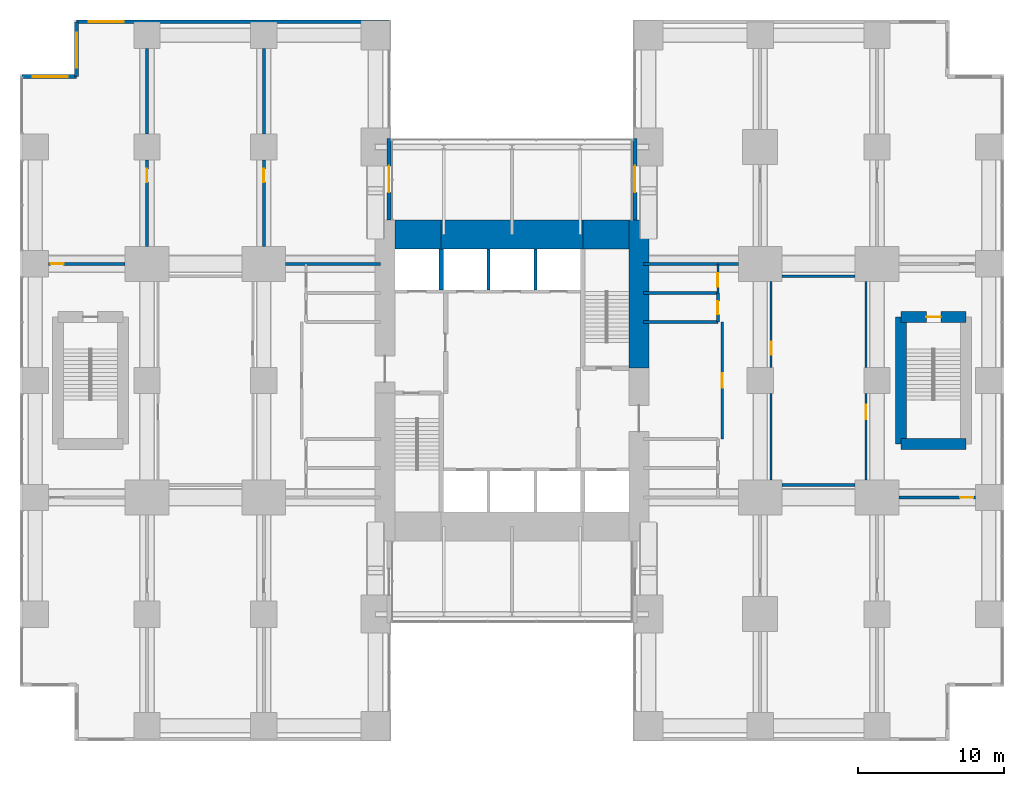
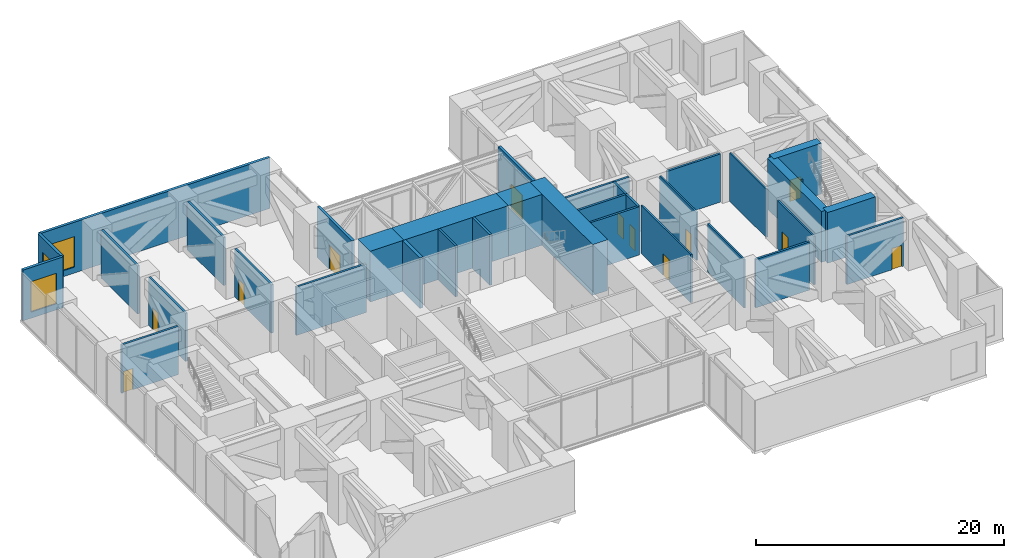
# One storey, part 17 of 19: 34 walls, 12 doors, 3 windows, 15 openings.
"""IFC4 building model written with IfcOpenShell, lengths in metres."""

import ifcopenshell
import ifcopenshell.guid

model = None  # the IFC model being written
_history = None  # IfcOwnerHistory: only IFC2X3 demands one
_inside = {}  # id of a spatial element -> (the spatial element, [elements in it])
_under = {}  # id of a project, library or spatial element -> (it, [spatial elements below it])
_declared = {}  # id of a project -> (the project, [libraries it declares])
_typed = {}  # id of a type object -> (the type object, [elements of that type])
_made_of = {}  # id of a material, layer set ... -> (it, [elements and type objects made of it])


def new_model(schema):
    """Start an empty IFC model of exactly this schema.

    Asked for "IFC4X3", IfcOpenShell would pick the latest addendum, in which some entities
    have other attributes; the version numbers below select the first issue.
    IFC2X3 requires an IfcOwnerHistory on every rooted entity: one is made here for all.
    """
    global model, _history
    if schema == "IFC4X3":
        model = ifcopenshell.file(schema_version=(4, 3, 0, 0))
    else:
        model = ifcopenshell.file(schema=schema)
    _inside.clear()
    _under.clear()
    _declared.clear()
    _typed.clear()
    _made_of.clear()
    _history = None
    if model.schema == "IFC2X3":
        org = make("IfcOrganization", Name="unknown")
        user = make(
            "IfcPersonAndOrganization",
            ThePerson=make("IfcPerson", FamilyName="unknown"),
            TheOrganization=org,
        )
        app = make(
            "IfcApplication",
            ApplicationDeveloper=org,
            Version="unknown",
            ApplicationFullName="unknown",
            ApplicationIdentifier="unknown",
        )
        _history = make(
            "IfcOwnerHistory",
            OwningUser=user,
            OwningApplication=app,
            ChangeAction="ADDED",
            CreationDate=0,
        )
    return model


def make(cls, **values):
    """One entity of the class cls with the attributes given. An attribute that is None is left unset."""
    return model.create_entity(
        cls, **{name: value for name, value in values.items() if value is not None}
    )


def rooted(cls, **values):
    """An entity with a GlobalId (a new one), such as an element, a storey or a relation."""
    return make(cls, GlobalId=ifcopenshell.guid.new(), OwnerHistory=_history, **values)


def si_unit(unit_type, name, prefix=None):
    """IfcSIUnit, for example si_unit("LENGTHUNIT", "METRE", prefix="MILLI")."""
    return make("IfcSIUnit", UnitType=unit_type, Prefix=prefix, Name=name)


def assignment(units):
    """IfcUnitAssignment: the units of a project."""
    return None if units is None else make("IfcUnitAssignment", Units=units)


def point(xyz):
    """IfcCartesianPoint."""
    return None if xyz is None else make("IfcCartesianPoint", Coordinates=xyz)


def direction(xyz):
    """IfcDirection."""
    return None if xyz is None else make("IfcDirection", DirectionRatios=xyz)


def frame(location, z_axis=None, x_axis=None):
    """IfcAxis2Placement3D, a coordinate frame: its origin and axes. An axis left out is left unset."""
    return make(
        "IfcAxis2Placement3D",
        Location=point(location),
        Axis=direction(z_axis),
        RefDirection=direction(x_axis),
    )


def frame_2d(location, x_axis=None):
    """IfcAxis2Placement2D, a coordinate frame in the plane: its origin and x axis."""
    return make(
        "IfcAxis2Placement2D", Location=point(location), RefDirection=direction(x_axis)
    )


def origin():
    """The frame at (0, 0, 0) with its axes left unset."""
    return frame((0.0, 0.0, 0.0))


def place(relative_to, where):
    """IfcLocalPlacement: puts the frame where relative to a parent placement (None: the world)."""
    return make(
        "IfcLocalPlacement", PlacementRelTo=relative_to, RelativePlacement=where
    )


def context(
    kind, dimensions, precision=None, world=None, true_north=None, identifier=None
):
    """IfcGeometricRepresentationContext, for example the 3D "Model" context."""
    return make(
        "IfcGeometricRepresentationContext",
        ContextIdentifier=identifier,
        ContextType=kind,
        CoordinateSpaceDimension=dimensions,
        Precision=precision,
        WorldCoordinateSystem=world,
        TrueNorth=true_north,
    )


def subcontext(parent, identifier, kind, view, scale=None):
    """IfcGeometricRepresentationSubContext, for example "Body" below "Model"."""
    return make(
        "IfcGeometricRepresentationSubContext",
        ContextIdentifier=identifier,
        ContextType=kind,
        ParentContext=parent,
        TargetScale=scale,
        TargetView=view,
    )


def project(units=None, contexts=None):
    """IfcProject with its units and contexts."""
    return rooted(
        "IfcProject",
        Name="project",
        RepresentationContexts=contexts,
        UnitsInContext=assignment(units),
    )


def spatial(cls, under=None, at=None, **own):
    """A site, building, storey or space (cls), placed at a placement, below another one or the project."""
    s = rooted(cls, ObjectPlacement=at, **own)
    if under is not None:
        _under.setdefault(under.id(), (under, []))[1].append(s)
    return s


def profile(cls, at=None, kind="AREA", **sizes):
    """A parametric profile (cls). Its sizes go by their IFC names, for example OverallWidth=200.0."""
    return make(cls, ProfileType=kind, Position=at, **sizes)


def rectangle(**sizes):
    """IfcRectangleProfileDef."""
    return profile("IfcRectangleProfileDef", **sizes)


def extrude(swept, where, along, depth):
    """IfcExtrudedAreaSolid: the profile swept, set in the frame where, extruded along a direction by depth."""
    return make(
        "IfcExtrudedAreaSolid",
        SweptArea=swept,
        Position=where,
        ExtrudedDirection=direction(along),
        Depth=depth,
    )


def shape(context_of_items, identifier, shape_type, items):
    """IfcShapeRepresentation: the items that make up one representation, for example the "Body"."""
    return make(
        "IfcShapeRepresentation",
        ContextOfItems=context_of_items,
        RepresentationIdentifier=identifier,
        RepresentationType=shape_type,
        Items=items,
    )


def material(Name=None, Category=None):
    """IfcMaterial."""
    return make("IfcMaterial", Name=Name, Category=Category)


def layer(
    of_material, thickness, ventilated=None, Name=None, Category=None, Priority=None
):
    """IfcMaterialLayer: one layer of a wall or slab, of a material (None: an air gap)."""
    return make(
        "IfcMaterialLayer",
        Material=of_material,
        LayerThickness=thickness,
        IsVentilated=ventilated,
        Name=Name,
        Category=Category,
        Priority=Priority,
    )


def layer_set(layers, Name=None):
    """IfcMaterialLayerSet."""
    return make("IfcMaterialLayerSet", MaterialLayers=layers, LayerSetName=Name)


def made_of(thing, what):
    """Note that an element or type object is made of a material, layer set ...; save() writes the relation."""
    if what is not None:
        _made_of.setdefault(what.id(), (what, []))[1].append(thing)
    return thing


def type_object(cls, material=None, **own):
    """A type object (cls), such as IfcWallType, which elements share."""
    return made_of(rooted(cls, **own), material)


def element(
    cls,
    number,
    at=None,
    inside=None,
    cuts=None,
    type_object=None,
    material=None,
    context=None,
    identifier="Body",
    shape_type=None,
    held_by="IfcProductDefinitionShape",
    body=None,
    shapes=None,
    **own,
):
    """One element of the class cls, such as IfcWall. Its Tag is "e" and its number.

    at: its placement. inside: the storey or other place that contains it. cuts: it is an
    opening in that element (IfcRelVoidsElement). A single representation is given by context,
    identifier, shape_type and body (its items); several are given by shapes. held_by: the class
    of the entity that holds the representations. save() writes the other relations.
    """
    e = rooted(cls, Tag="e%d" % number, ObjectPlacement=at, **own)
    if body is not None:
        shapes = [shape(context, identifier, shape_type, body)]
    if shapes is not None:
        e.Representation = make(held_by, Representations=shapes)
    if inside is not None:
        _inside.setdefault(inside.id(), (inside, []))[1].append(e)
    if cuts is not None:
        rooted(
            "IfcRelVoidsElement", RelatingBuildingElement=cuts, RelatedOpeningElement=e
        )
    if type_object is not None:
        _typed.setdefault(type_object.id(), (type_object, []))[1].append(e)
    return made_of(e, material)


def fill(opening, filler):
    """IfcRelFillsElement: the door or window that sits in an opening."""
    return rooted(
        "IfcRelFillsElement",
        RelatingOpeningElement=opening,
        RelatedBuildingElement=filler,
    )


def aggregate(whole, parts):
    """IfcRelAggregates: a whole, such as a stair, and the parts it consists of."""
    return rooted("IfcRelAggregates", RelatingObject=whole, RelatedObjects=parts)


def save(model, path):
    """Write the relations noted so far, then the file.

    IfcRelAggregates (storeys below a building ...), IfcRelContainedInSpatialStructure (elements
    in a storey), IfcRelDefinesByType, IfcRelAssociatesMaterial and IfcRelDeclares: one each for
    every whole, place, type object, material and project.
    """
    for whole, parts in _under.values():
        aggregate(whole, parts)
    for where, things in _inside.values():
        rooted(
            "IfcRelContainedInSpatialStructure",
            RelatedElements=things,
            RelatingStructure=where,
        )
    for kind, things in _typed.values():
        rooted("IfcRelDefinesByType", RelatedObjects=things, RelatingType=kind)
    for what, things in _made_of.values():
        rooted("IfcRelAssociatesMaterial", RelatedObjects=things, RelatingMaterial=what)
    for by, libraries in _declared.values():
        rooted("IfcRelDeclares", RelatingContext=by, RelatedDefinitions=libraries)
    model.write(path)


model = new_model("IFC4")

# Units and contexts
model_context = context("Model", 3, precision=1e-05, world=origin(), true_north=direction((0.0, 1.0)))
body_context = subcontext(model_context, "Body", "Model", "MODEL_VIEW")
ifc_project = project(units=[si_unit("LENGTHUNIT", "METRE"), si_unit("AREAUNIT", "SQUARE_METRE"), si_unit("VOLUMEUNIT", "CUBIC_METRE"), si_unit("PLANEANGLEUNIT", "RADIAN"), si_unit("MASSUNIT", "GRAM", prefix="KILO")], contexts=[model_context])

# Site, building, storey
site_placement = place(None, origin())
site = spatial("IfcSite", under=ifc_project, at=site_placement, CompositionType="ELEMENT")
building_placement = place(site_placement, origin())
building = spatial("IfcBuilding", under=site, at=building_placement, Name="Cleftline Residences", CompositionType="ELEMENT")
storey_placement = place(building_placement, frame((0.0, 0.0, 177.199951171875)))
storey = spatial("IfcBuildingStorey", under=building, at=storey_placement, Name="L46", CompositionType="ELEMENT", Elevation=177.199951171875)

# Walls
ifc_material_1 = material(Name="Concrete B70", Category="concrete")
ifc_layer_1 = layer(ifc_material_1, 1.39990234375)
ifc_layer_set_1 = layer_set([ifc_layer_1], Name="CORE WALL 1400")
wall_type_1 = type_object("IfcWallType", Name="CORE WALL 1400", PredefinedType="SHEAR", material=ifc_layer_set_1)
wall_1_placement = place(storey_placement, frame((41.699951171875, 24.85009765625, 0.0), z_axis=(0.0, 0.0, 1.0), x_axis=(0.0, 1.0, 0.0)))
element("IfcWall", 1, at=wall_1_placement, inside=storey, type_object=wall_type_1, Name="Core wall E1", PredefinedType="SHEAR", context=body_context, shape_type="SweptSolid", body=[
    extrude(rectangle(XDim=10.14990234375, YDim=1.39990234375, at=frame_2d((5.074951171875, 0.0))), origin(), (0.0, 0.0, 1.0), 5.0),
])
ifc_material_2 = material(Name="Concrete B70", Category="concrete")
ifc_layer_2 = layer(ifc_material_2, 2.0)
ifc_layer_set_2 = layer_set([ifc_layer_2], Name="CORE WALL 2000")
wall_type_2 = type_object("IfcWallType", Name="CORE WALL 2000", PredefinedType="SHEAR", material=ifc_layer_set_2)
wall_2_placement = place(storey_placement, frame((25.0, 34.0, 0.0), z_axis=(0.0, 0.0, 1.0), x_axis=(1.0, 0.0, 0.0)))
element("IfcWall", 2, at=wall_2_placement, inside=storey, type_object=wall_type_2, Name="Core wall N1", PredefinedType="SHEAR", context=body_context, shape_type="SweptSolid", body=[
    extrude(rectangle(XDim=3.14990234375, YDim=2.0, at=frame_2d((1.574951171875, 0.0))), origin(), (0.0, 0.0, 1.0), 5.0),
])
wall_3_placement = place(storey_placement, frame((28.14990234375, 34.0, 0.0), z_axis=(0.0, 0.0, 1.0), x_axis=(1.0, 0.0, 0.0)))
element("IfcWall", 3, at=wall_3_placement, inside=storey, type_object=wall_type_2, Name="Core wall N2", PredefinedType="SHEAR", context=body_context, shape_type="SweptSolid", body=[
    extrude(rectangle(XDim=9.7001953125, YDim=2.0, at=frame_2d((4.85009765625, 0.0))), origin(), (0.0, 0.0, 1.0), 5.0),
])
wall_4_placement = place(storey_placement, frame((37.85009765625, 34.0, 0.0), z_axis=(0.0, 0.0, 1.0), x_axis=(1.0, 0.0, 0.0)))
element("IfcWall", 4, at=wall_4_placement, inside=storey, type_object=wall_type_2, Name="Core wall N3", PredefinedType="SHEAR", context=body_context, shape_type="SweptSolid", body=[
    extrude(rectangle(XDim=3.14990234375, YDim=2.0, at=frame_2d((1.574951171875, 0.0))), origin(), (0.0, 0.0, 1.0), 5.0),
])
ifc_material_3 = material(Name="Concrete B70", Category="concrete")
ifc_layer_3 = layer(ifc_material_3, 0.300048828125)
ifc_layer_set_3 = layer_set([ifc_layer_3], Name="CORE WALL 300")
wall_type_3 = type_object("IfcWallType", Name="CORE WALL 300", PredefinedType="SHEAR", material=ifc_layer_set_3)
wall_5_placement = place(storey_placement, frame((28.14990234375, 30.199951171875, 0.0), z_axis=(0.0, 0.0, 1.0), x_axis=(0.0, 1.0, 0.0)))
element("IfcWall", 5, at=wall_5_placement, inside=storey, type_object=wall_type_3, Name="Lift shaft wall", PredefinedType="SHEAR", context=body_context, shape_type="SweptSolid", body=[
    extrude(rectangle(XDim=2.800048828125, YDim=0.300048828125, at=frame_2d((1.39990234375, 0.0))), origin(), (0.0, 0.0, 1.0), 5.0),
])

# Wall, opening, door
ifc_material_4 = material(Name="Rendered reinforced concrete blockwork", Category="masonry")
ifc_layer_4 = layer(ifc_material_4, 0.25)
ifc_layer_set_4 = layer_set([ifc_layer_4], Name="EXTERNAL WALL 250")
wall_type_4 = type_object("IfcWallType", Name="EXTERNAL WALL 250", PredefinedType="SOLIDWALL", material=ifc_layer_set_4)
wall_6_placement = place(storey_placement, frame((41.425048828125, 40.60009765625, 0.0), z_axis=(0.0, 0.0, 1.0), x_axis=(0.0, -1.0, 0.0)))
wall_6 = element("IfcWall", 6, at=wall_6_placement, inside=storey, type_object=wall_type_4, Name="External wall", PredefinedType="SOLIDWALL", context=body_context, shape_type="SweptSolid", body=[
    extrude(rectangle(XDim=5.60009765625, YDim=0.25, at=frame_2d((2.800048828125, 0.0))), origin(), (0.0, 0.0, 1.0), 5.0),
])
opening_1_placement = place(wall_6_placement, frame((1.89990234375, 0.0, 0.0)))
opening_1 = element("IfcOpeningElement", 7, at=opening_1_placement, cuts=wall_6, Name="Opening DB1", PredefinedType="OPENING", context=body_context, shape_type="SweptSolid", body=[
    extrude(rectangle(XDim=1.800048828125, YDim=2.39990234375, at=frame_2d((0.89990234375, 1.199951171875))), frame((0.0, 0.135009765625, 0.0), z_axis=(0.0, -1.0, 0.0), x_axis=(1.0, 0.0, 0.0)), (0.0, 0.0, 1.0), 0.27001953125),
])
ifc_material_5 = material(Name="Steel and glass, fire rated", Category="steel")
door_type_1 = type_object("IfcDoorType", Name="BRIDGE DOOR 1800X2400", OperationType="DOUBLE_DOOR_DOUBLE_SWING", PredefinedType="DOOR", material=ifc_material_5)
door_1_placement = place(opening_1_placement, origin())
door_1 = element("IfcDoor", 8, at=door_1_placement, inside=storey, type_object=door_type_1, Name="Sky bridge door", OperationType="DOUBLE_DOOR_DOUBLE_SWING", OverallHeight=2.39990234375, OverallWidth=1.800048828125, PredefinedType="DOOR", context=body_context, shape_type="SweptSolid", body=[
    extrude(rectangle(XDim=1.800048828125, YDim=2.39990234375, at=frame_2d((0.89990234375, 1.199951171875))), frame((0.0, 0.02490234375, 0.0), z_axis=(0.0, -1.0, 0.0), x_axis=(1.0, 0.0, 0.0)), (0.0, 0.0, 1.0), 0.050048828125),
])
fill(opening_1, door_1)

wall_7_placement = place(storey_placement, frame((24.574951171875, 35.0, 0.0), z_axis=(0.0, 0.0, 1.0), x_axis=(0.0, 1.0, 0.0)))
wall_7 = element("IfcWall", 9, at=wall_7_placement, inside=storey, type_object=wall_type_4, Name="External wall", PredefinedType="SOLIDWALL", context=body_context, shape_type="SweptSolid", body=[
    extrude(rectangle(XDim=5.60009765625, YDim=0.25, at=frame_2d((2.800048828125, 0.0))), origin(), (0.0, 0.0, 1.0), 5.0),
])
opening_2_placement = place(wall_7_placement, frame((1.89990234375, 0.0, 0.0)))
opening_2 = element("IfcOpeningElement", 10, at=opening_2_placement, cuts=wall_7, Name="Opening DB1", PredefinedType="OPENING", context=body_context, shape_type="SweptSolid", body=[
    extrude(rectangle(XDim=1.800048828125, YDim=2.39990234375, at=frame_2d((0.89990234375, 1.199951171875))), frame((0.0, 0.135009765625, 0.0), z_axis=(0.0, -1.0, 0.0), x_axis=(1.0, 0.0, 0.0)), (0.0, 0.0, 1.0), 0.27001953125),
])
door_2_placement = place(opening_2_placement, origin())
door_2 = element("IfcDoor", 11, at=door_2_placement, inside=storey, type_object=door_type_1, Name="Sky bridge door", OperationType="DOUBLE_DOOR_DOUBLE_SWING", OverallHeight=2.39990234375, OverallWidth=1.800048828125, PredefinedType="DOOR", context=body_context, shape_type="SweptSolid", body=[
    extrude(rectangle(XDim=1.800048828125, YDim=2.39990234375, at=frame_2d((0.89990234375, 1.199951171875))), frame((0.0, 0.02490234375, 0.0), z_axis=(0.0, -1.0, 0.0), x_axis=(1.0, 0.0, 0.0)), (0.0, 0.0, 1.0), 0.050048828125),
])
fill(opening_2, door_2)

# Wall, opening, window
wall_8_placement = place(storey_placement, frame((24.574951171875, 48.574951171875, 0.0), z_axis=(0.0, 0.0, 1.0), x_axis=(-1.0, 0.0, 0.0)))
wall_8 = element("IfcWall", 12, at=wall_8_placement, inside=storey, type_object=wall_type_4, Name="External wall", PredefinedType="SOLIDWALL", context=body_context, shape_type="SweptSolid", body=[
    extrude(rectangle(XDim=21.39990234375, YDim=0.25, at=frame_2d((10.699951171875, 0.0))), origin(), (0.0, 0.0, 1.0), 5.0),
])
opening_3_placement = place(wall_8_placement, frame((18.175048828125, 0.0, 0.60009765625)))
opening_3 = element("IfcOpeningElement", 13, at=opening_3_placement, cuts=wall_8, Name="Opening W3", PredefinedType="OPENING", context=body_context, shape_type="SweptSolid", body=[
    extrude(rectangle(XDim=2.39990234375, YDim=3.0, at=frame_2d((1.199951171875, 1.5))), frame((0.0, 0.135009765625, 0.0), z_axis=(0.0, -1.0, 0.0), x_axis=(1.0, 0.0, 0.0)), (0.0, 0.0, 1.0), 0.27001953125),
])
ifc_material_6 = material(Name="Aluminium frame, clear double glazing", Category="aluminium")
window_type = type_object("IfcWindowType", Name="WINDOW 2400X3000", PartitioningType="DOUBLE_PANEL_VERTICAL", PredefinedType="WINDOW", material=ifc_material_6)
window_1_placement = place(opening_3_placement, origin())
window_1 = element("IfcWindow", 14, at=window_1_placement, inside=storey, type_object=window_type, Name="Window", OverallHeight=3.0, OverallWidth=2.39990234375, PartitioningType="SINGLE_PANEL", PredefinedType="WINDOW", context=body_context, shape_type="SweptSolid", body=[
    extrude(rectangle(XDim=2.39990234375, YDim=3.0, at=frame_2d((1.199951171875, 1.5))), frame((0.0, 0.030029296875, 0.0), z_axis=(0.0, -1.0, 0.0), x_axis=(1.0, 0.0, 0.0)), (0.0, 0.0, 1.0), 0.06005859375),
])
fill(opening_3, window_1)

wall_9_placement = place(storey_placement, frame((3.175048828125, 48.574951171875, 0.0), z_axis=(0.0, 0.0, 1.0), x_axis=(0.0, -1.0, 0.0)))
wall_9 = element("IfcWall", 15, at=wall_9_placement, inside=storey, type_object=wall_type_4, Name="External wall", PredefinedType="SOLIDWALL", context=body_context, shape_type="SweptSolid", body=[
    extrude(rectangle(XDim=3.75, YDim=0.25, at=frame_2d((1.875, 0.0))), origin(), (0.0, 0.0, 1.0), 5.0),
])
opening_4_placement = place(wall_9_placement, frame((0.737548828125, 0.0, 0.60009765625)))
opening_4 = element("IfcOpeningElement", 16, at=opening_4_placement, cuts=wall_9, Name="Opening W3", PredefinedType="OPENING", context=body_context, shape_type="SweptSolid", body=[
    extrude(rectangle(XDim=2.39990234375, YDim=3.0, at=frame_2d((1.199951171875, 1.5))), frame((0.0, 0.135009765625, 0.0), z_axis=(0.0, -1.0, 0.0), x_axis=(1.0, 0.0, 0.0)), (0.0, 0.0, 1.0), 0.27001953125),
])
window_2_placement = place(opening_4_placement, origin())
window_2 = element("IfcWindow", 17, at=window_2_placement, inside=storey, type_object=window_type, Name="Window", OverallHeight=3.0, OverallWidth=2.39990234375, PartitioningType="SINGLE_PANEL", PredefinedType="WINDOW", context=body_context, shape_type="SweptSolid", body=[
    extrude(rectangle(XDim=2.39990234375, YDim=3.0, at=frame_2d((1.199951171875, 1.5))), frame((0.0, 0.030029296875, 0.0), z_axis=(0.0, -1.0, 0.0), x_axis=(1.0, 0.0, 0.0)), (0.0, 0.0, 1.0), 0.06005859375),
])
fill(opening_4, window_2)

wall_10_placement = place(storey_placement, frame((3.175048828125, 44.824951171875, 0.0), z_axis=(0.0, 0.0, 1.0), x_axis=(-1.0, 0.0, 0.0)))
wall_10 = element("IfcWall", 18, at=wall_10_placement, inside=storey, type_object=wall_type_4, Name="External wall", PredefinedType="SOLIDWALL", context=body_context, shape_type="SweptSolid", body=[
    extrude(rectangle(XDim=3.75, YDim=0.25, at=frame_2d((1.875, 0.0))), origin(), (0.0, 0.0, 1.0), 5.0),
])
opening_5_placement = place(wall_10_placement, frame((0.612548828125, 0.0, 0.60009765625)))
opening_5 = element("IfcOpeningElement", 19, at=opening_5_placement, cuts=wall_10, Name="Opening W3", PredefinedType="OPENING", context=body_context, shape_type="SweptSolid", body=[
    extrude(rectangle(XDim=2.39990234375, YDim=3.0, at=frame_2d((1.199951171875, 1.5))), frame((0.0, 0.135009765625, 0.0), z_axis=(0.0, -1.0, 0.0), x_axis=(1.0, 0.0, 0.0)), (0.0, 0.0, 1.0), 0.27001953125),
])
window_3_placement = place(opening_5_placement, origin())
window_3 = element("IfcWindow", 20, at=window_3_placement, inside=storey, type_object=window_type, Name="Window", OverallHeight=3.0, OverallWidth=2.39990234375, PartitioningType="SINGLE_PANEL", PredefinedType="WINDOW", context=body_context, shape_type="SweptSolid", body=[
    extrude(rectangle(XDim=2.39990234375, YDim=3.0, at=frame_2d((1.199951171875, 1.5))), frame((0.0, 0.030029296875, 0.0), z_axis=(0.0, -1.0, 0.0), x_axis=(1.0, 0.0, 0.0)), (0.0, 0.0, 1.0), 0.06005859375),
])
fill(opening_5, window_3)

# Wall, opening, door
ifc_material_7 = material(Name="Concrete blockwork, fire rated", Category="masonry")
ifc_layer_5 = layer(ifc_material_7, 0.199951171875)
ifc_layer_set_5 = layer_set([ifc_layer_5], Name="FIRE WALL 200")
wall_type_5 = type_object("IfcWallType", Name="FIRE WALL 200", PredefinedType="PARTITIONING", material=ifc_layer_set_5)
wall_11_placement = place(storey_placement, frame((59.5, 16.0, 0.0), z_axis=(0.0, 0.0, 1.0), x_axis=(1.0, 0.0, 0.0)))
wall_11 = element("IfcWall", 21, at=wall_11_placement, inside=storey, type_object=wall_type_5, Name="Fire separating wall", PredefinedType="PARTITIONING", context=body_context, shape_type="SweptSolid", body=[
    extrude(rectangle(XDim=5.25, YDim=0.199951171875, at=frame_2d((2.625, 0.0))), origin(), (0.0, 0.0, 1.0), 4.75),
])
opening_6_placement = place(wall_11_placement, frame((4.199951171875, 0.0, 0.0)))
opening_6 = element("IfcOpeningElement", 22, at=opening_6_placement, cuts=wall_11, Name="Opening D1F60", PredefinedType="OPENING", context=body_context, shape_type="SweptSolid", body=[
    extrude(rectangle(XDim=0.89990234375, YDim=2.10009765625, at=frame_2d((0.449951171875, 1.050048828125))), frame((0.0, 0.10986328125, 0.0), z_axis=(0.0, -1.0, 0.0), x_axis=(1.0, 0.0, 0.0)), (0.0, 0.0, 1.0), 0.219970703125),
])
ifc_material_8 = material(Name="Timber veneer on solid core", Category="wood")
door_type_2 = type_object("IfcDoorType", Name="DOOR 900X2100 EI 60", OperationType="SINGLE_SWING_LEFT", PredefinedType="DOOR", material=ifc_material_8)
door_3_placement = place(opening_6_placement, origin())
door_3 = element("IfcDoor", 23, at=door_3_placement, inside=storey, type_object=door_type_2, Name="Door to mechanical plant room", OperationType="SINGLE_SWING_LEFT", OverallHeight=2.10009765625, OverallWidth=0.89990234375, PredefinedType="DOOR", context=body_context, shape_type="SweptSolid", body=[
    extrude(rectangle(XDim=0.89990234375, YDim=2.10009765625, at=frame_2d((0.449951171875, 1.050048828125))), frame((0.0, 0.02490234375, 0.0), z_axis=(0.0, -1.0, 0.0), x_axis=(1.0, 0.0, 0.0)), (0.0, 0.0, 1.0), 0.050048828125),
])
fill(opening_6, door_3)

# Walls
wall_12_placement = place(storey_placement, frame((51.5, 16.85009765625, 0.0), z_axis=(0.0, 0.0, 1.0), x_axis=(1.0, 0.0, 0.0)))
element("IfcWall", 24, at=wall_12_placement, inside=storey, type_object=wall_type_5, Name="Fire separating wall", PredefinedType="PARTITIONING", context=body_context, shape_type="SweptSolid", body=[
    extrude(rectangle(XDim=5.0, YDim=0.199951171875, at=frame_2d((2.5, 0.0))), origin(), (0.0, 0.0, 1.0), 4.75),
])
for number, where, z_axis, x_axis, name in (
    (25, (42.0, 28.0, 0.0), (0.0, 0.0, 1.0), (1.0, 0.0, 0.0), "Fire separating wall"),
    (26, (42.0, 30.0, 0.0), (0.0, 0.0, 1.0), (1.0, 0.0, 0.0), "Fire separating wall"),
):
    element("IfcWall", number, at=place(storey_placement, frame(where, z_axis=z_axis, x_axis=x_axis)), inside=storey, type_object=wall_type_5, Name=name, PredefinedType="PARTITIONING", context=body_context, shape_type="SweptSolid", body=[
        extrude(rectangle(XDim=5.10009765625, YDim=0.199951171875, at=frame_2d((2.550048828125, 0.0))), origin(), (0.0, 0.0, 1.0), 4.75),
    ])
wall_13_placement = place(storey_placement, frame((51.5, 31.14990234375, 0.0), z_axis=(0.0, 0.0, 1.0), x_axis=(1.0, 0.0, 0.0)))
element("IfcWall", 27, at=wall_13_placement, inside=storey, type_object=wall_type_5, Name="Fire separating wall", PredefinedType="PARTITIONING", context=body_context, shape_type="SweptSolid", body=[
    extrude(rectangle(XDim=5.0, YDim=0.199951171875, at=frame_2d((2.5, 0.0))), origin(), (0.0, 0.0, 1.0), 4.75),
])

# Wall, opening, door
wall_14_placement = place(storey_placement, frame((1.25, 32.0, 0.0), z_axis=(0.0, 0.0, 1.0), x_axis=(1.0, 0.0, 0.0)))
wall_14 = element("IfcWall", 28, at=wall_14_placement, inside=storey, type_object=wall_type_5, Name="Fire separating wall", PredefinedType="PARTITIONING", context=body_context, shape_type="SweptSolid", body=[
    extrude(rectangle(XDim=5.25, YDim=0.199951171875, at=frame_2d((2.625, 0.0))), origin(), (0.0, 0.0, 1.0), 4.75),
])
opening_7_placement = place(wall_14_placement, frame((0.139892578125, 0.0, 0.0)))
opening_7 = element("IfcOpeningElement", 29, at=opening_7_placement, cuts=wall_14, Name="Opening D1F60", PredefinedType="OPENING", context=body_context, shape_type="SweptSolid", body=[
    extrude(rectangle(XDim=0.89990234375, YDim=2.10009765625, at=frame_2d((0.449951171875, 1.050048828125))), frame((0.0, 0.10986328125, 0.0), z_axis=(0.0, -1.0, 0.0), x_axis=(1.0, 0.0, 0.0)), (0.0, 0.0, 1.0), 0.219970703125),
])
door_4_placement = place(opening_7_placement, origin())
door_4 = element("IfcDoor", 30, at=door_4_placement, inside=storey, type_object=door_type_2, Name="Door to domestic water pump room", OperationType="SINGLE_SWING_RIGHT", OverallHeight=2.10009765625, OverallWidth=0.89990234375, PredefinedType="DOOR", context=body_context, shape_type="SweptSolid", body=[
    extrude(rectangle(XDim=0.89990234375, YDim=2.10009765625, at=frame_2d((0.449951171875, 1.050048828125))), frame((0.0, 0.02490234375, 0.0), z_axis=(0.0, -1.0, 0.0), x_axis=(1.0, 0.0, 0.0)), (0.0, 0.0, 1.0), 0.050048828125),
])
fill(opening_7, door_4)

# Walls
for number, where, z_axis, x_axis, name in (
    (31, (17.5, 32.0, 0.0), (0.0, 0.0, 1.0), (1.0, 0.0, 0.0), "Fire separating wall"),
    (32, (42.0, 32.0, 0.0), (0.0, 0.0, 1.0), (1.0, 0.0, 0.0), "Fire separating wall"),
):
    element("IfcWall", number, at=place(storey_placement, frame(where, z_axis=z_axis, x_axis=x_axis)), inside=storey, type_object=wall_type_5, Name=name, PredefinedType="PARTITIONING", context=body_context, shape_type="SweptSolid", body=[
        extrude(rectangle(XDim=6.5, YDim=0.199951171875, at=frame_2d((3.25, 0.0))), origin(), (0.0, 0.0, 1.0), 4.75),
    ])

# Wall, opening, door
wall_15_placement = place(storey_placement, frame((8.0, 33.199951171875, 0.0), z_axis=(0.0, 0.0, 1.0), x_axis=(0.0, 1.0, 0.0)))
wall_15 = element("IfcWall", 33, at=wall_15_placement, inside=storey, type_object=wall_type_5, Name="Fire separating wall", PredefinedType="PARTITIONING", context=body_context, shape_type="SweptSolid", body=[
    extrude(rectangle(XDim=5.900146484375, YDim=0.199951171875, at=frame_2d((2.9501953125, 0.0))), origin(), (0.0, 0.0, 1.0), 4.75),
])
opening_8_placement = place(wall_15_placement, frame((4.39990234375, 0.0, 0.0)))
opening_8 = element("IfcOpeningElement", 34, at=opening_8_placement, cuts=wall_15, Name="Opening D1F60", PredefinedType="OPENING", context=body_context, shape_type="SweptSolid", body=[
    extrude(rectangle(XDim=0.89990234375, YDim=2.10009765625, at=frame_2d((0.449951171875, 1.050048828125))), frame((0.0, 0.10986328125, 0.0), z_axis=(0.0, -1.0, 0.0), x_axis=(1.0, 0.0, 0.0)), (0.0, 0.0, 1.0), 0.219970703125),
])
door_5_placement = place(opening_8_placement, origin())
door_5 = element("IfcDoor", 35, at=door_5_placement, inside=storey, type_object=door_type_2, Name="Door to pressure-break tank room", OperationType="SINGLE_SWING_LEFT", OverallHeight=2.10009765625, OverallWidth=0.89990234375, PredefinedType="DOOR", context=body_context, shape_type="SweptSolid", body=[
    extrude(rectangle(XDim=0.89990234375, YDim=2.10009765625, at=frame_2d((0.449951171875, 1.050048828125))), frame((0.0, 0.02490234375, 0.0), z_axis=(0.0, -1.0, 0.0), x_axis=(1.0, 0.0, 0.0)), (0.0, 0.0, 1.0), 0.050048828125),
])
fill(opening_8, door_5)

# Wall
wall_16_placement = place(storey_placement, frame((8.0, 40.89990234375, 0.0), z_axis=(0.0, 0.0, 1.0), x_axis=(0.0, 1.0, 0.0)))
element("IfcWall", 36, at=wall_16_placement, inside=storey, type_object=wall_type_5, Name="Fire separating wall", PredefinedType="PARTITIONING", context=body_context, shape_type="SweptSolid", body=[
    extrude(rectangle(XDim=5.85009765625, YDim=0.199951171875, at=frame_2d((2.925048828125, 0.0))), origin(), (0.0, 0.0, 1.0), 4.75),
])

# Wall, opening, door
wall_17_placement = place(storey_placement, frame((16.0, 33.199951171875, 0.0), z_axis=(0.0, 0.0, 1.0), x_axis=(0.0, 1.0, 0.0)))
wall_17 = element("IfcWall", 37, at=wall_17_placement, inside=storey, type_object=wall_type_5, Name="Fire separating wall", PredefinedType="PARTITIONING", context=body_context, shape_type="SweptSolid", body=[
    extrude(rectangle(XDim=5.900146484375, YDim=0.199951171875, at=frame_2d((2.9501953125, 0.0))), origin(), (0.0, 0.0, 1.0), 4.75),
])
opening_9_placement = place(wall_17_placement, frame((4.39990234375, 0.0, 0.0)))
opening_9 = element("IfcOpeningElement", 38, at=opening_9_placement, cuts=wall_17, Name="Opening D1F60", PredefinedType="OPENING", context=body_context, shape_type="SweptSolid", body=[
    extrude(rectangle(XDim=0.89990234375, YDim=2.10009765625, at=frame_2d((0.449951171875, 1.050048828125))), frame((0.0, 0.10986328125, 0.0), z_axis=(0.0, -1.0, 0.0), x_axis=(1.0, 0.0, 0.0)), (0.0, 0.0, 1.0), 0.219970703125),
])
door_6_placement = place(opening_9_placement, origin())
door_6 = element("IfcDoor", 39, at=door_6_placement, inside=storey, type_object=door_type_2, Name="Door to water treatment plant room", OperationType="SINGLE_SWING_LEFT", OverallHeight=2.10009765625, OverallWidth=0.89990234375, PredefinedType="DOOR", context=body_context, shape_type="SweptSolid", body=[
    extrude(rectangle(XDim=0.89990234375, YDim=2.10009765625, at=frame_2d((0.449951171875, 1.050048828125))), frame((0.0, 0.02490234375, 0.0), z_axis=(0.0, -1.0, 0.0), x_axis=(1.0, 0.0, 0.0)), (0.0, 0.0, 1.0), 0.050048828125),
])
fill(opening_9, door_6)

# Wall
wall_18_placement = place(storey_placement, frame((16.0, 40.89990234375, 0.0), z_axis=(0.0, 0.0, 1.0), x_axis=(0.0, 1.0, 0.0)))
element("IfcWall", 40, at=wall_18_placement, inside=storey, type_object=wall_type_5, Name="Fire separating wall", PredefinedType="PARTITIONING", context=body_context, shape_type="SweptSolid", body=[
    extrude(rectangle(XDim=5.85009765625, YDim=0.199951171875, at=frame_2d((2.925048828125, 0.0))), origin(), (0.0, 0.0, 1.0), 4.75),
])

# Wall, opening, door
wall_19_placement = place(storey_placement, frame((47.10009765625, 28.0, 0.0), z_axis=(0.0, 0.0, 1.0), x_axis=(0.0, 1.0, 0.0)))
wall_19 = element("IfcWall", 41, at=wall_19_placement, inside=storey, type_object=wall_type_5, Name="Fire separating wall", PredefinedType="PARTITIONING", context=body_context, shape_type="SweptSolid", body=[
    extrude(rectangle(XDim=2.0, YDim=0.199951171875, at=frame_2d((1.0, 0.0))), origin(), (0.0, 0.0, 1.0), 4.75),
])
opening_10_placement = place(wall_19_placement, frame((0.5400390625, 0.0, 0.0)))
opening_10 = element("IfcOpeningElement", 42, at=opening_10_placement, cuts=wall_19, Name="Opening D1F30", PredefinedType="OPENING", context=body_context, shape_type="SweptSolid", body=[
    extrude(rectangle(XDim=0.89990234375, YDim=2.10009765625, at=frame_2d((0.449951171875, 1.050048828125))), frame((0.0, 0.10986328125, 0.0), z_axis=(0.0, -1.0, 0.0), x_axis=(1.0, 0.0, 0.0)), (0.0, 0.0, 1.0), 0.219970703125),
])
ifc_material_9 = material(Name="Timber veneer on solid core", Category="wood")
door_type_3 = type_object("IfcDoorType", Name="DOOR 900X2100 EI 30", OperationType="SINGLE_SWING_LEFT", PredefinedType="DOOR", material=ifc_material_9)
door_7_placement = place(opening_10_placement, origin())
door_7 = element("IfcDoor", 43, at=door_7_placement, inside=storey, type_object=door_type_3, Name="Door to accessible wc", OperationType="SINGLE_SWING_RIGHT", OverallHeight=2.10009765625, OverallWidth=0.89990234375, PredefinedType="DOOR", context=body_context, shape_type="SweptSolid", body=[
    extrude(rectangle(XDim=0.89990234375, YDim=2.10009765625, at=frame_2d((0.449951171875, 1.050048828125))), frame((0.0, 0.02490234375, 0.0), z_axis=(0.0, -1.0, 0.0), x_axis=(1.0, 0.0, 0.0)), (0.0, 0.0, 1.0), 0.050048828125),
])
fill(opening_10, door_7)

ifc_material_10 = material(Name="Gypsum board on steel studs", Category="steel")
ifc_layer_6 = layer(ifc_material_10, 0.14990234375)
ifc_layer_set_6 = layer_set([ifc_layer_6], Name="PARTITION 150")
wall_type_6 = type_object("IfcWallType", Name="PARTITION 150", PredefinedType="PARTITIONING", material=ifc_layer_set_6)
wall_20_placement = place(storey_placement, frame((47.10009765625, 30.0, 0.0), z_axis=(0.0, 0.0, 1.0), x_axis=(0.0, 1.0, 0.0)))
wall_20 = element("IfcWall", 44, at=wall_20_placement, inside=storey, type_object=wall_type_6, Name="Partition", PredefinedType="PARTITIONING", context=body_context, shape_type="SweptSolid", body=[
    extrude(rectangle(XDim=2.0, YDim=0.14990234375, at=frame_2d((1.0, 0.0))), origin(), (0.0, 0.0, 1.0), 4.75),
])
opening_11_placement = place(wall_20_placement, frame((0.43994140625, 0.0, 0.0)))
opening_11 = element("IfcOpeningElement", 45, at=opening_11_placement, cuts=wall_20, Name="Opening D1", PredefinedType="OPENING", context=body_context, shape_type="SweptSolid", body=[
    extrude(rectangle(XDim=0.89990234375, YDim=2.10009765625, at=frame_2d((0.449951171875, 1.050048828125))), frame((0.0, 0.0849609375, 0.0), z_axis=(0.0, -1.0, 0.0), x_axis=(1.0, 0.0, 0.0)), (0.0, 0.0, 1.0), 0.169921875),
])
ifc_material_11 = material(Name="Timber veneer on solid core", Category="wood")
door_type_4 = type_object("IfcDoorType", Name="DOOR 900X2100", OperationType="SINGLE_SWING_LEFT", PredefinedType="DOOR", material=ifc_material_11)
door_8_placement = place(opening_11_placement, origin())
door_8 = element("IfcDoor", 46, at=door_8_placement, inside=storey, type_object=door_type_4, Name="Door to cleaner's store", OperationType="SINGLE_SWING_RIGHT", OverallHeight=2.10009765625, OverallWidth=0.89990234375, PredefinedType="DOOR", context=body_context, shape_type="SweptSolid", body=[
    extrude(rectangle(XDim=0.89990234375, YDim=2.10009765625, at=frame_2d((0.449951171875, 1.050048828125))), frame((0.0, 0.02490234375, 0.0), z_axis=(0.0, -1.0, 0.0), x_axis=(1.0, 0.0, 0.0)), (0.0, 0.0, 1.0), 0.050048828125),
])
fill(opening_11, door_8)

wall_21_placement = place(storey_placement, frame((47.39990234375, 20.0, 0.0), z_axis=(0.0, 0.0, 1.0), x_axis=(0.0, 1.0, 0.0)))
wall_21 = element("IfcWall", 47, at=wall_21_placement, inside=storey, type_object=wall_type_6, Name="Partition", PredefinedType="PARTITIONING", context=body_context, shape_type="SweptSolid", body=[
    extrude(rectangle(XDim=8.0, YDim=0.14990234375, at=frame_2d((4.0, 0.0))), origin(), (0.0, 0.0, 1.0), 4.75),
])
opening_12_placement = place(wall_21_placement, frame((3.5, 0.0, 0.0)))
opening_12 = element("IfcOpeningElement", 48, at=opening_12_placement, cuts=wall_21, Name="Opening D2F30", PredefinedType="OPENING", context=body_context, shape_type="SweptSolid", body=[
    extrude(rectangle(XDim=1.0, YDim=2.10009765625, at=frame_2d((0.5, 1.050048828125))), frame((0.0, 0.0849609375, 0.0), z_axis=(0.0, -1.0, 0.0), x_axis=(1.0, 0.0, 0.0)), (0.0, 0.0, 1.0), 0.169921875),
])
ifc_material_12 = material(Name="Timber veneer on solid core", Category="wood")
door_type_5 = type_object("IfcDoorType", Name="DOOR 1000X2100 EI 30", OperationType="SINGLE_SWING_LEFT", PredefinedType="DOOR", material=ifc_material_12)
door_9_placement = place(opening_12_placement, origin())
door_9 = element("IfcDoor", 49, at=door_9_placement, inside=storey, type_object=door_type_5, Name="Door to corridor", OperationType="SINGLE_SWING_LEFT", OverallHeight=2.10009765625, OverallWidth=1.0, PredefinedType="DOOR", context=body_context, shape_type="SweptSolid", body=[
    extrude(rectangle(XDim=1.0, YDim=2.10009765625, at=frame_2d((0.5, 1.050048828125))), frame((0.0, 0.02490234375, 0.0), z_axis=(0.0, -1.0, 0.0), x_axis=(1.0, 0.0, 0.0)), (0.0, 0.0, 1.0), 0.050048828125),
])
fill(opening_12, door_9)

# Wall
wall_22_placement = place(storey_placement, frame((50.75, 17.199951171875, 0.0), z_axis=(0.0, 0.0, 1.0), x_axis=(0.0, 1.0, 0.0)))
element("IfcWall", 50, at=wall_22_placement, inside=storey, type_object=wall_type_6, Name="Partition", PredefinedType="PARTITIONING", context=body_context, shape_type="SweptSolid", body=[
    extrude(rectangle(XDim=5.900146484375, YDim=0.14990234375, at=frame_2d((2.9501953125, 0.0))), origin(), (0.0, 0.0, 1.0), 4.75),
])

# Wall, opening, door
wall_23_placement = place(storey_placement, frame((50.75, 24.89990234375, 0.0), z_axis=(0.0, 0.0, 1.0), x_axis=(0.0, 1.0, 0.0)))
wall_23 = element("IfcWall", 51, at=wall_23_placement, inside=storey, type_object=wall_type_6, Name="Partition", PredefinedType="PARTITIONING", context=body_context, shape_type="SweptSolid", body=[
    extrude(rectangle(XDim=5.900146484375, YDim=0.14990234375, at=frame_2d((2.9501953125, 0.0))), origin(), (0.0, 0.0, 1.0), 4.75),
])
opening_13_placement = place(wall_23_placement, frame((0.860107421875, 0.0, 0.0)))
opening_13 = element("IfcOpeningElement", 52, at=opening_13_placement, cuts=wall_23, Name="Opening D1", PredefinedType="OPENING", context=body_context, shape_type="SweptSolid", body=[
    extrude(rectangle(XDim=0.89990234375, YDim=2.10009765625, at=frame_2d((0.449951171875, 1.050048828125))), frame((0.0, 0.0849609375, 0.0), z_axis=(0.0, -1.0, 0.0), x_axis=(1.0, 0.0, 0.0)), (0.0, 0.0, 1.0), 0.169921875),
])
door_10_placement = place(opening_13_placement, origin())
door_10 = element("IfcDoor", 53, at=door_10_placement, inside=storey, type_object=door_type_4, Name="Door to sky reading lounge", OperationType="SINGLE_SWING_RIGHT", OverallHeight=2.10009765625, OverallWidth=0.89990234375, PredefinedType="DOOR", context=body_context, shape_type="SweptSolid", body=[
    extrude(rectangle(XDim=0.89990234375, YDim=2.10009765625, at=frame_2d((0.449951171875, 1.050048828125))), frame((0.0, 0.02490234375, 0.0), z_axis=(0.0, -1.0, 0.0), x_axis=(1.0, 0.0, 0.0)), (0.0, 0.0, 1.0), 0.050048828125),
])
fill(opening_13, door_10)

wall_24_placement = place(storey_placement, frame((57.25, 17.199951171875, 0.0), z_axis=(0.0, 0.0, 1.0), x_axis=(0.0, 1.0, 0.0)))
wall_24 = element("IfcWall", 54, at=wall_24_placement, inside=storey, type_object=wall_type_6, Name="Partition", PredefinedType="PARTITIONING", context=body_context, shape_type="SweptSolid", body=[
    extrude(rectangle(XDim=5.900146484375, YDim=0.14990234375, at=frame_2d((2.9501953125, 0.0))), origin(), (0.0, 0.0, 1.0), 4.75),
])
opening_14_placement = place(wall_24_placement, frame((4.139892578125, 0.0, 0.0)))
opening_14 = element("IfcOpeningElement", 55, at=opening_14_placement, cuts=wall_24, Name="Opening D2F30", PredefinedType="OPENING", context=body_context, shape_type="SweptSolid", body=[
    extrude(rectangle(XDim=1.0, YDim=2.10009765625, at=frame_2d((0.5, 1.050048828125))), frame((0.0, 0.0849609375, 0.0), z_axis=(0.0, -1.0, 0.0), x_axis=(1.0, 0.0, 0.0)), (0.0, 0.0, 1.0), 0.169921875),
])
door_11_placement = place(opening_14_placement, origin())
door_11 = element("IfcDoor", 56, at=door_11_placement, inside=storey, type_object=door_type_5, Name="Door to stair e lobby", OperationType="SINGLE_SWING_LEFT", OverallHeight=2.10009765625, OverallWidth=1.0, PredefinedType="DOOR", context=body_context, shape_type="SweptSolid", body=[
    extrude(rectangle(XDim=1.0, YDim=2.10009765625, at=frame_2d((0.5, 1.050048828125))), frame((0.0, 0.02490234375, 0.0), z_axis=(0.0, -1.0, 0.0), x_axis=(1.0, 0.0, 0.0)), (0.0, 0.0, 1.0), 0.050048828125),
])
fill(opening_14, door_11)

# Walls
wall_25_placement = place(storey_placement, frame((57.25, 24.89990234375, 0.0), z_axis=(0.0, 0.0, 1.0), x_axis=(0.0, 1.0, 0.0)))
element("IfcWall", 57, at=wall_25_placement, inside=storey, type_object=wall_type_6, Name="Partition", PredefinedType="PARTITIONING", context=body_context, shape_type="SweptSolid", body=[
    extrude(rectangle(XDim=5.900146484375, YDim=0.14990234375, at=frame_2d((2.9501953125, 0.0))), origin(), (0.0, 0.0, 1.0), 4.75),
])
ifc_material_13 = material(Name="Concrete blockwork, fire rated", Category="masonry")
ifc_layer_7 = layer(ifc_material_13, 0.199951171875)
ifc_layer_set_7 = layer_set([ifc_layer_7], Name="SHAFT WALL 200")
wall_type_7 = type_object("IfcWallType", Name="SHAFT WALL 200", PredefinedType="PARTITIONING", material=ifc_layer_set_7)
for number, where, z_axis, x_axis, name in (
    (58, (31.39990234375, 30.199951171875, 0.0), (0.0, 0.0, 1.0), (0.0, 1.0, 0.0), "Lift shaft wall"),
    (59, (34.60009765625, 30.199951171875, 0.0), (0.0, 0.0, 1.0), (0.0, 1.0, 0.0), "Lift shaft wall"),
):
    element("IfcWall", number, at=place(storey_placement, frame(where, z_axis=z_axis, x_axis=x_axis)), inside=storey, type_object=wall_type_7, Name=name, PredefinedType="PARTITIONING", context=body_context, shape_type="SweptSolid", body=[
        extrude(rectangle(XDim=2.800048828125, YDim=0.199951171875, at=frame_2d((1.39990234375, 0.0))), origin(), (0.0, 0.0, 1.0), 5.0),
    ])
ifc_material_14 = material(Name="Concrete B70", Category="concrete")
ifc_layer_8 = layer(ifc_material_14, 0.75)
ifc_layer_set_8 = layer_set([ifc_layer_8], Name="SHEAR WALL 750")
wall_type_8 = type_object("IfcWallType", Name="SHEAR WALL 750", PredefinedType="SHEAR", material=ifc_layer_set_8)
wall_26_placement = place(storey_placement, frame((59.64990234375, 19.64990234375, 0.0), z_axis=(0.0, 0.0, 1.0), x_axis=(1.0, 0.0, 0.0)))
element("IfcWall", 60, at=wall_26_placement, inside=storey, type_object=wall_type_8, Name="Wing shear wall", PredefinedType="SHEAR", context=body_context, shape_type="SweptSolid", body=[
    extrude(rectangle(XDim=4.4501953125, YDim=0.75, at=frame_2d((2.22509765625, 0.0))), origin(), (0.0, 0.0, 1.0), 5.0),
])

# Wall, opening, door
wall_27_placement = place(storey_placement, frame((64.10009765625, 28.35009765625, 0.0), z_axis=(0.0, 0.0, 1.0), x_axis=(-1.0, 0.0, 0.0)))
wall_27 = element("IfcWall", 61, at=wall_27_placement, inside=storey, type_object=wall_type_8, Name="Wing shear wall", PredefinedType="SHEAR", context=body_context, shape_type="SweptSolid", body=[
    extrude(rectangle(XDim=4.4501953125, YDim=0.75, at=frame_2d((2.22509765625, 0.0))), origin(), (0.0, 0.0, 1.0), 5.0),
])
opening_15_placement = place(wall_27_placement, frame((1.72509765625, 0.0, 0.0)))
opening_15 = element("IfcOpeningElement", 62, at=opening_15_placement, cuts=wall_27, Name="Opening D5", PredefinedType="OPENING", context=body_context, shape_type="SweptSolid", body=[
    extrude(rectangle(XDim=1.0, YDim=2.10009765625, at=frame_2d((0.5, 1.050048828125))), frame((0.0, 0.385009765625, 0.0), z_axis=(0.0, -1.0, 0.0), x_axis=(1.0, 0.0, 0.0)), (0.0, 0.0, 1.0), 0.77001953125),
])
ifc_material_15 = material(Name="Steel", Category="steel")
door_type_6 = type_object("IfcDoorType", Name="STAIR DOOR 1000X2100", OperationType="SINGLE_SWING_LEFT", PredefinedType="DOOR", material=ifc_material_15)
door_12_placement = place(opening_15_placement, origin())
door_12 = element("IfcDoor", 63, at=door_12_placement, inside=storey, type_object=door_type_6, Name="Stair E door", OperationType="SINGLE_SWING_LEFT", OverallHeight=2.10009765625, OverallWidth=1.0, PredefinedType="DOOR", context=body_context, shape_type="SweptSolid", body=[
    extrude(rectangle(XDim=1.0, YDim=2.10009765625, at=frame_2d((0.5, 1.050048828125))), frame((0.0, 0.02490234375, 0.0), z_axis=(0.0, -1.0, 0.0), x_axis=(1.0, 0.0, 0.0)), (0.0, 0.0, 1.0), 0.050048828125),
])
fill(opening_15, door_12)

# Wall
wall_28_placement = place(storey_placement, frame((59.64990234375, 28.35009765625, 0.0), z_axis=(0.0, 0.0, 1.0), x_axis=(0.0, -1.0, 0.0)))
element("IfcWall", 64, at=wall_28_placement, inside=storey, type_object=wall_type_8, Name="Wing shear wall", PredefinedType="SHEAR", context=body_context, shape_type="SweptSolid", body=[
    extrude(rectangle(XDim=8.7001953125, YDim=0.75, at=frame_2d((4.35009765625, 0.0))), origin(), (0.0, 0.0, 1.0), 5.0),
])

save(model, "model.ifc")
